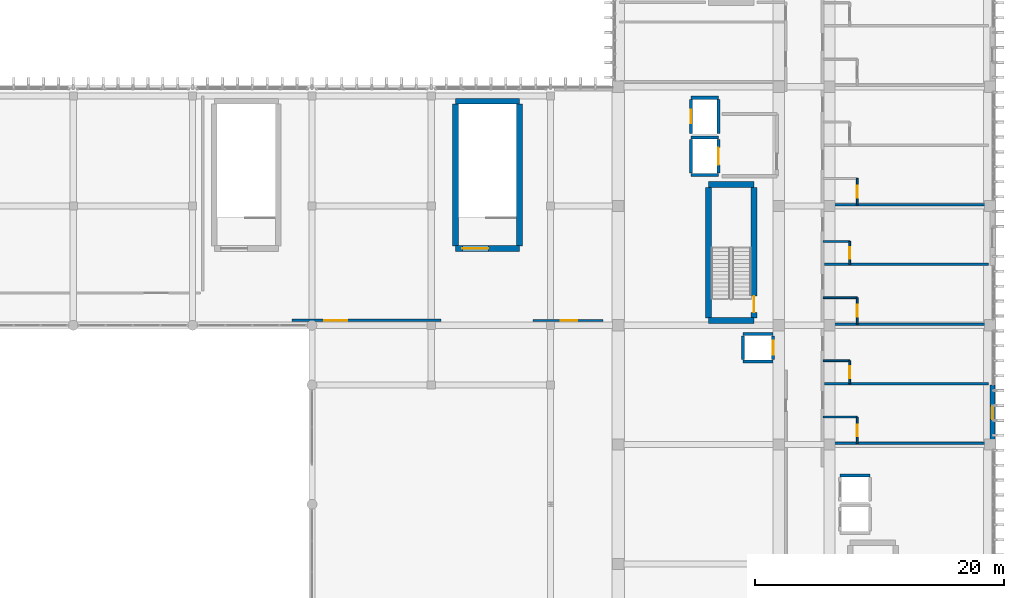
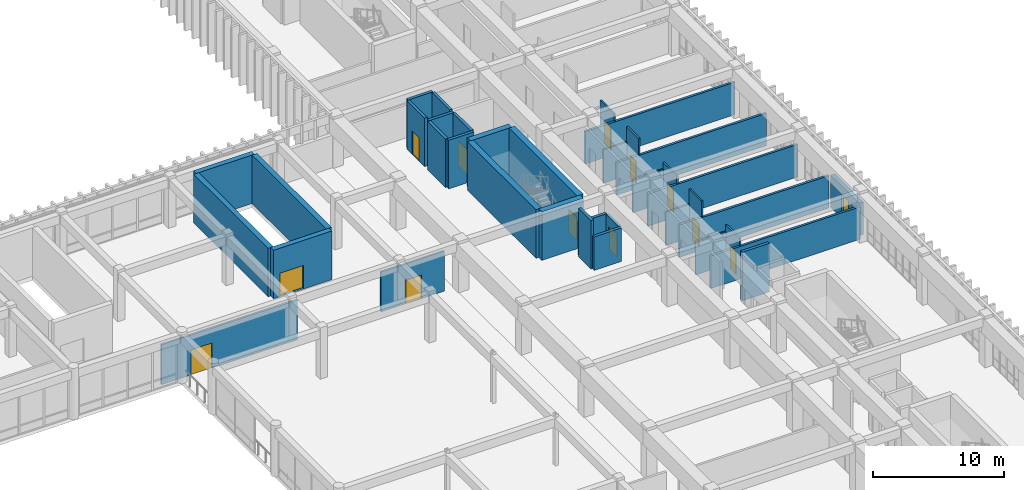
# One storey, part 79 of 101: 37 walls, 12 doors, 1 window, 13 openings.
"""IFC4 building model written with IfcOpenShell, lengths in metres."""

from ifc_helpers import new_model, si_unit, direction, frame, frame_2d, origin, place, context, subcontext, project, spatial, rectangle, extrude, material, layer, layer_set, type_object, element, fill, save


model = new_model("IFC4")

# Units and contexts
model_context = context("Model", 3, precision=1e-05, world=origin(), true_north=direction((0.0, 1.0)))
body_context = subcontext(model_context, "Body", "Model", "MODEL_VIEW")
ifc_project = project(units=[si_unit("LENGTHUNIT", "METRE"), si_unit("AREAUNIT", "SQUARE_METRE"), si_unit("VOLUMEUNIT", "CUBIC_METRE"), si_unit("PLANEANGLEUNIT", "RADIAN"), si_unit("MASSUNIT", "GRAM", prefix="KILO")], contexts=[model_context])

# Site, building, storey
site_placement = place(None, origin())
site = spatial("IfcSite", under=ifc_project, at=site_placement, CompositionType="ELEMENT")
building_placement = place(site_placement, origin())
building = spatial("IfcBuilding", under=site, at=building_placement, Name="Nakhvara Creek Congress Hotel", CompositionType="ELEMENT")
storey_placement = place(building_placement, frame((0.0, 0.0, 16.199951171875)))
storey = spatial("IfcBuildingStorey", under=building, at=storey_placement, Name="L03", CompositionType="ELEMENT", Elevation=16.199951171875)

# Wall, opening, door
ifc_material_1 = material(Name="Moisture-resistant blockwork and plaster", Category="masonry")
ifc_layer_1 = layer(ifc_material_1, 0.159912109375)
ifc_layer_set_1 = layer_set([ifc_layer_1], Name="Moisture-resistant blockwork and plaster")
wall_type_1 = type_object("IfcWallType", Name="W-BOH-160", PredefinedType="PARTITIONING", material=ifc_layer_set_1)
wall_1_placement = place(storey_placement, frame((142.60009765625, 77.199951171875, 0.0), z_axis=(0.0, 0.0, 1.0), x_axis=(1.0, 0.0, 0.0)))
wall_1 = element("IfcWall", 1, at=wall_1_placement, inside=storey, type_object=wall_type_1, Name="Interior Wall WP14-IW-L03-0223", PredefinedType="PARTITIONING", context=body_context, shape_type="SweptSolid", body=[
    extrude(rectangle(XDim=5.599853515625, YDim=0.159912109375, at=frame_2d((2.7998046875, 0.0))), origin(), (0.0, 0.0, 1.0), 3.73193359375),
])
opening_1_placement = place(wall_1_placement, frame((2.199951171875, 0.0, 0.0)))
opening_1 = element("IfcOpeningElement", 2, at=opening_1_placement, cuts=wall_1, Name="Opening ID05", PredefinedType="OPENING", context=body_context, shape_type="SweptSolid", body=[
    extrude(rectangle(XDim=1.35009765625, YDim=2.199951171875, at=frame_2d((0.675048828125, 1.10009765625))), frame((0.0, 0.091796875, 0.0), z_axis=(0.0, -1.0, 0.0), x_axis=(1.0, 0.0, 0.0)), (0.0, 0.0, 1.0), 0.183837890625),
])
ifc_material_2 = material(Name="Brushed stainless-clad BOH door")
door_type_1 = type_object("IfcDoorType", Name="DT-BOH-135", OperationType="NOTDEFINED", PredefinedType="DOOR", material=ifc_material_2)
door_1_placement = place(opening_1_placement, frame((1.35009765625, 0.0, 0.0), z_axis=(0.0, 0.0, 1.0), x_axis=(-1.0, 0.0, 0.0)))
door_1 = element("IfcDoor", 3, at=door_1_placement, inside=storey, type_object=door_type_1, Name="Interior Door ID05-0203", OperationType="SINGLE_SWING_RIGHT", OverallHeight=2.199951171875, OverallWidth=1.35009765625, PredefinedType="DOOR", context=body_context, shape_type="SweptSolid", body=[
    extrude(rectangle(XDim=1.35009765625, YDim=2.199951171875, at=frame_2d((0.675048828125, 1.10009765625))), frame((0.0, 0.02490234375, 0.0), z_axis=(0.0, -1.0, 0.0), x_axis=(1.0, 0.0, 0.0)), (0.0, 0.0, 1.0), 0.050048828125),
])
fill(opening_1, door_1)

ifc_material_3 = material(Name="Concrete C50/60", Category="concrete")
ifc_layer_2 = layer(ifc_material_3, 0.449951171875)
ifc_layer_set_2 = layer_set([ifc_layer_2], Name="Concrete C50/60")
wall_type_2 = type_object("IfcWallType", Name="W-CORE-450", PredefinedType="SHEAR", material=ifc_layer_set_2)
wall_2_placement = place(storey_placement, frame((136.35009765625, 82.97998046875, 0.0), z_axis=(0.0, 0.0, 1.0), x_axis=(1.0, 0.0, 0.0)))
wall_2 = element("IfcWall", 4, at=wall_2_placement, inside=storey, type_object=wall_type_2, Name="Core Shear Wall WS02-CWALL-L03-0931", PredefinedType="SHEAR", context=body_context, shape_type="SweptSolid", body=[
    extrude(rectangle(XDim=5.14990234375, YDim=0.449951171875, at=frame_2d((2.574951171875, 0.0))), origin(), (0.0, 0.0, 1.0), 4.5400390625),
])
opening_2_placement = place(wall_2_placement, frame((0.550048828125, 0.0, 0.0)))
opening_2 = element("IfcOpeningElement", 5, at=opening_2_placement, cuts=wall_2, Name="Opening FD19", PredefinedType="OPENING", context=body_context, shape_type="SweptSolid", body=[
    extrude(rectangle(XDim=2.10009765625, YDim=2.199951171875, at=frame_2d((1.050048828125, 1.10009765625))), frame((0.0, 0.23681640625, 0.0), z_axis=(0.0, -1.0, 0.0), x_axis=(1.0, 0.0, 0.0)), (0.0, 0.0, 1.0), 0.473876953125),
])
ifc_material_4 = material(Name="Galvanised steel acoustic fire door", Category="steel")
door_type_2 = type_object("IfcDoorType", Name="DT-STAIR-220", OperationType="DOUBLE_DOOR_SINGLE_SWING", PredefinedType="DOOR", material=ifc_material_4)
door_2_placement = place(opening_2_placement, frame((2.10009765625, 0.0, 0.0), z_axis=(0.0, 0.0, 1.0), x_axis=(-1.0, 0.0, 0.0)))
door_2 = element("IfcDoor", 6, at=door_2_placement, inside=storey, type_object=door_type_2, Name="Stair Exit Door ST10-L03", OperationType="DOUBLE_DOOR_SINGLE_SWING", OverallHeight=2.199951171875, OverallWidth=2.10009765625, PredefinedType="DOOR", context=body_context, shape_type="SweptSolid", body=[
    extrude(rectangle(XDim=2.10009765625, YDim=2.199951171875, at=frame_2d((1.050048828125, 1.10009765625))), frame((0.0, 0.02490234375, 0.0), z_axis=(0.0, -1.0, 0.0), x_axis=(1.0, 0.0, 0.0)), (0.0, 0.0, 1.0), 0.050048828125),
])
fill(opening_2, door_2)

# Walls
wall_3_placement = place(storey_placement, frame((136.35009765625, 94.820068359375, 0.0), z_axis=(0.0, 0.0, 1.0), x_axis=(1.0, 0.0, 0.0)))
element("IfcWall", 7, at=wall_3_placement, inside=storey, type_object=wall_type_2, Name="Core Shear Wall WS02-CWALL-L03-0932", PredefinedType="SHEAR", context=body_context, shape_type="SweptSolid", body=[
    extrude(rectangle(XDim=5.14990234375, YDim=0.449951171875, at=frame_2d((2.574951171875, 0.0))), origin(), (0.0, 0.0, 1.0), 4.5400390625),
])
for number, where, z_axis, x_axis, name in (
    (8, (136.35009765625, 83.199951171875, 0.0), (0.0, 0.0, 1.0), (0.0, 1.0, 0.0), "Core Shear Wall WS02-CWALL-L03-0933"),
    (9, (141.5, 83.199951171875, 0.0), (0.0, 0.0, 1.0), (0.0, 1.0, 0.0), "Core Shear Wall WS02-CWALL-L03-0934"),
):
    element("IfcWall", number, at=place(storey_placement, frame(where, z_axis=z_axis, x_axis=x_axis)), inside=storey, type_object=wall_type_2, Name=name, PredefinedType="SHEAR", context=body_context, shape_type="SweptSolid", body=[
        extrude(rectangle(XDim=11.400146484375, YDim=0.449951171875, at=frame_2d((5.7001953125, 0.0))), origin(), (0.0, 0.0, 1.0), 4.5400390625),
    ])
ifc_layer_3 = layer(ifc_material_3, 0.5)
ifc_layer_set_3 = layer_set([ifc_layer_3], Name="Concrete C50/60")
wall_type_3 = type_object("IfcWallType", Name="W-CORE-500", PredefinedType="SHEAR", material=ifc_layer_set_3)
for number, where, z_axis, x_axis, name in (
    (10, (156.699951171875, 77.179931640625, 0.0), (0.0, 0.0, 1.0), (1.0, 0.0, 0.0), "Core Shear Wall WS01-CWALL-L03-0091"),
    (11, (156.699951171875, 88.1201171875, 0.0), (0.0, 0.0, 1.0), (1.0, 0.0, 0.0), "Core Shear Wall WS01-CWALL-L03-0092"),
):
    element("IfcWall", number, at=place(storey_placement, frame(where, z_axis=z_axis, x_axis=x_axis)), inside=storey, type_object=wall_type_3, Name=name, PredefinedType="SHEAR", context=body_context, shape_type="SweptSolid", body=[
        extrude(rectangle(XDim=3.670166015625, YDim=0.5, at=frame_2d((1.8349609375, 0.0))), origin(), (0.0, 0.0, 1.0), 4.5400390625),
    ])
wall_4_placement = place(storey_placement, frame((156.699951171875, 77.39990234375, 0.0), z_axis=(0.0, 0.0, 1.0), x_axis=(0.0, 1.0, 0.0)))
element("IfcWall", 12, at=wall_4_placement, inside=storey, type_object=wall_type_3, Name="Core Shear Wall WS01-CWALL-L03-0093", PredefinedType="SHEAR", context=body_context, shape_type="SweptSolid", body=[
    extrude(rectangle(XDim=10.5, YDim=0.5, at=frame_2d((5.25, 0.0))), origin(), (0.0, 0.0, 1.0), 4.5400390625),
])

# Wall, opening, door
wall_5_placement = place(storey_placement, frame((160.3701171875, 77.39990234375, 0.0), z_axis=(0.0, 0.0, 1.0), x_axis=(0.0, 1.0, 0.0)))
wall_5 = element("IfcWall", 13, at=wall_5_placement, inside=storey, type_object=wall_type_3, Name="Core Shear Wall WS01-CWALL-L03-0094", PredefinedType="SHEAR", context=body_context, shape_type="SweptSolid", body=[
    extrude(rectangle(XDim=10.5, YDim=0.5, at=frame_2d((5.25, 0.0))), origin(), (0.0, 0.0, 1.0), 4.5400390625),
])
opening_3_placement = place(wall_5_placement, frame((0.449951171875, 0.0, 0.0)))
opening_3 = element("IfcOpeningElement", 14, at=opening_3_placement, cuts=wall_5, Name="Opening FD04", PredefinedType="OPENING", context=body_context, shape_type="SweptSolid", body=[
    extrude(rectangle(XDim=1.300048828125, YDim=2.14990234375, at=frame_2d((0.64990234375, 1.074951171875))), frame((0.0, 0.261962890625, 0.0), z_axis=(0.0, -1.0, 0.0), x_axis=(1.0, 0.0, 0.0)), (0.0, 0.0, 1.0), 0.52392578125),
])
ifc_material_5 = material(Name="Powder-coated steel fire door", Category="steel")
door_type_3 = type_object("IfcDoorType", Name="DT-STAIR-130", OperationType="NOTDEFINED", PredefinedType="DOOR", material=ifc_material_5)
door_3_placement = place(opening_3_placement, frame((1.300048828125, 0.0, 0.0), z_axis=(0.0, 0.0, 1.0), x_axis=(-1.0, 0.0, 0.0)))
door_3 = element("IfcDoor", 15, at=door_3_placement, inside=storey, type_object=door_type_3, Name="Stair Exit Door ST01-L03", OperationType="SINGLE_SWING_LEFT", OverallHeight=2.14990234375, OverallWidth=1.300048828125, PredefinedType="DOOR", context=body_context, shape_type="SweptSolid", body=[
    extrude(rectangle(XDim=1.300048828125, YDim=2.14990234375, at=frame_2d((0.64990234375, 1.074951171875))), frame((0.0, 0.02490234375, 0.0), z_axis=(0.0, -1.0, 0.0), x_axis=(1.0, 0.0, 0.0)), (0.0, 0.0, 1.0), 0.050048828125),
])
fill(opening_3, door_3)

ifc_material_6 = material(Name="Moisture-resistant gypsum board partition")
ifc_layer_4 = layer(ifc_material_6, 0.139892578125)
ifc_layer_set_4 = layer_set([ifc_layer_4], Name="Moisture-resistant gypsum board partition")
wall_type_4 = type_object("IfcWallType", Name="W-ENS-140", PredefinedType="PARTITIONING", material=ifc_layer_set_4)
wall_6_placement = place(storey_placement, frame((168.669921875, 67.300048828125, 0.0), z_axis=(0.0, 0.0, 1.0), x_axis=(0.0, 1.0, 0.0)))
wall_6 = element("IfcWall", 16, at=wall_6_placement, inside=storey, type_object=wall_type_4, Name="Interior Wall WP15-IW-L03-0250", PredefinedType="PARTITIONING", context=body_context, shape_type="SweptSolid", body=[
    extrude(rectangle(XDim=2.115966796875, YDim=0.139892578125, at=frame_2d((1.05810546875, 0.0))), origin(), (0.0, 0.0, 1.0), 3.73193359375),
])
opening_4_placement = place(wall_6_placement, frame((0.5830078125, 0.0, 0.0)))
opening_4 = element("IfcOpeningElement", 17, at=opening_4_placement, cuts=wall_6, Name="Opening ID01", PredefinedType="OPENING", context=body_context, shape_type="SweptSolid", body=[
    extrude(rectangle(XDim=0.919921875, YDim=2.10009765625, at=frame_2d((0.4599609375, 1.050048828125))), frame((0.0, 0.08203125, 0.0), z_axis=(0.0, -1.0, 0.0), x_axis=(1.0, 0.0, 0.0)), (0.0, 0.0, 1.0), 0.163818359375),
])
ifc_material_7 = material(Name="Moisture-resistant walnut timber door", Category="wood")
door_type_4 = type_object("IfcDoorType", Name="DT-ENS-092", OperationType="NOTDEFINED", PredefinedType="DOOR", material=ifc_material_7)
door_4_placement = place(opening_4_placement, frame((0.919921875, 0.0, 0.0), z_axis=(0.0, 0.0, 1.0), x_axis=(-1.0, 0.0, 0.0)))
door_4 = element("IfcDoor", 18, at=door_4_placement, inside=storey, type_object=door_type_4, Name="Interior Door ID01-0229", OperationType="SINGLE_SWING_RIGHT", OverallHeight=2.10009765625, OverallWidth=0.919921875, PredefinedType="DOOR", context=body_context, shape_type="SweptSolid", body=[
    extrude(rectangle(XDim=0.919921875, YDim=2.10009765625, at=frame_2d((0.4599609375, 1.050048828125))), frame((0.0, 0.02490234375, 0.0), z_axis=(0.0, -1.0, 0.0), x_axis=(1.0, 0.0, 0.0)), (0.0, 0.0, 1.0), 0.050048828125),
])
fill(opening_4, door_4)

# Wall
wall_7_placement = place(storey_placement, frame((165.919921875, 69.416015625, 0.0), z_axis=(0.0, 0.0, 1.0), x_axis=(1.0, 0.0, 0.0)))
element("IfcWall", 19, at=wall_7_placement, inside=storey, type_object=wall_type_4, Name="Interior Wall WP15-IW-L03-0251", PredefinedType="PARTITIONING", context=body_context, shape_type="SweptSolid", body=[
    extrude(rectangle(XDim=2.75, YDim=0.139892578125, at=frame_2d((1.375, 0.0))), origin(), (0.0, 0.0, 1.0), 3.132080078125),
])

# Wall, opening, door
wall_8_placement = place(storey_placement, frame((168.070068359375, 72.10009765625, 0.0), z_axis=(0.0, 0.0, 1.0), x_axis=(0.0, 1.0, 0.0)))
wall_8 = element("IfcWall", 20, at=wall_8_placement, inside=storey, type_object=wall_type_4, Name="Interior Wall WP15-IW-L03-0253", PredefinedType="PARTITIONING", context=body_context, shape_type="SweptSolid", body=[
    extrude(rectangle(XDim=1.849853515625, YDim=0.139892578125, at=frame_2d((0.9248046875, 0.0))), origin(), (0.0, 0.0, 1.0), 4.5400390625),
])
opening_5_placement = place(wall_8_placement, frame((0.449951171875, 0.0, 0.0)))
opening_5 = element("IfcOpeningElement", 21, at=opening_5_placement, cuts=wall_8, Name="Opening ID02", PredefinedType="OPENING", context=body_context, shape_type="SweptSolid", body=[
    extrude(rectangle(XDim=0.9599609375, YDim=2.1201171875, at=frame_2d((0.47998046875, 1.06005859375))), frame((0.0, 0.08203125, 0.0), z_axis=(0.0, -1.0, 0.0), x_axis=(1.0, 0.0, 0.0)), (0.0, 0.0, 1.0), 0.163818359375),
])
door_type_5 = type_object("IfcDoorType", Name="DT-ENS-096", OperationType="NOTDEFINED", PredefinedType="DOOR", material=ifc_material_7)
door_5_placement = place(opening_5_placement, frame((0.9599609375, 0.0, 0.0), z_axis=(0.0, 0.0, 1.0), x_axis=(-1.0, 0.0, 0.0)))
door_5 = element("IfcDoor", 22, at=door_5_placement, inside=storey, type_object=door_type_5, Name="Interior Door ID02-0231", OperationType="SINGLE_SWING_RIGHT", OverallHeight=2.1201171875, OverallWidth=0.9599609375, PredefinedType="DOOR", context=body_context, shape_type="SweptSolid", body=[
    extrude(rectangle(XDim=0.9599609375, YDim=2.1201171875, at=frame_2d((0.47998046875, 1.06005859375))), frame((0.0, 0.02490234375, 0.0), z_axis=(0.0, -1.0, 0.0), x_axis=(1.0, 0.0, 0.0)), (0.0, 0.0, 1.0), 0.050048828125),
])
fill(opening_5, door_5)

# Wall
wall_9_placement = place(storey_placement, frame((165.919921875, 73.949951171875, 0.0), z_axis=(0.0, 0.0, 1.0), x_axis=(1.0, 0.0, 0.0)))
element("IfcWall", 23, at=wall_9_placement, inside=storey, type_object=wall_type_4, Name="Interior Wall WP15-IW-L03-0254", PredefinedType="PARTITIONING", context=body_context, shape_type="SweptSolid", body=[
    extrude(rectangle(XDim=2.150146484375, YDim=0.139892578125, at=frame_2d((1.0751953125, 0.0))), origin(), (0.0, 0.0, 1.0), 3.132080078125),
])

# Wall, opening, door
wall_10_placement = place(storey_placement, frame((168.669921875, 76.89990234375, 0.0), z_axis=(0.0, 0.0, 1.0), x_axis=(0.0, 1.0, 0.0)))
wall_10 = element("IfcWall", 24, at=wall_10_placement, inside=storey, type_object=wall_type_4, Name="Interior Wall WP15-IW-L03-0256", PredefinedType="PARTITIONING", context=body_context, shape_type="SweptSolid", body=[
    extrude(rectangle(XDim=2.1162109375, YDim=0.139892578125, at=frame_2d((1.05810546875, 0.0))), origin(), (0.0, 0.0, 1.0), 3.73193359375),
])
opening_6_placement = place(wall_10_placement, frame((0.5830078125, 0.0, 0.0)))
opening_6 = element("IfcOpeningElement", 25, at=opening_6_placement, cuts=wall_10, Name="Opening ID02", PredefinedType="OPENING", context=body_context, shape_type="SweptSolid", body=[
    extrude(rectangle(XDim=0.9599609375, YDim=2.1201171875, at=frame_2d((0.47998046875, 1.06005859375))), frame((0.0, 0.08203125, 0.0), z_axis=(0.0, -1.0, 0.0), x_axis=(1.0, 0.0, 0.0)), (0.0, 0.0, 1.0), 0.163818359375),
])
door_6_placement = place(opening_6_placement, frame((0.9599609375, 0.0, 0.0), z_axis=(0.0, 0.0, 1.0), x_axis=(-1.0, 0.0, 0.0)))
door_6 = element("IfcDoor", 26, at=door_6_placement, inside=storey, type_object=door_type_5, Name="Interior Door ID02-0233", OperationType="SINGLE_SWING_RIGHT", OverallHeight=2.1201171875, OverallWidth=0.9599609375, PredefinedType="DOOR", context=body_context, shape_type="SweptSolid", body=[
    extrude(rectangle(XDim=0.9599609375, YDim=2.1201171875, at=frame_2d((0.47998046875, 1.06005859375))), frame((0.0, 0.02490234375, 0.0), z_axis=(0.0, -1.0, 0.0), x_axis=(1.0, 0.0, 0.0)), (0.0, 0.0, 1.0), 0.050048828125),
])
fill(opening_6, door_6)

# Wall
wall_11_placement = place(storey_placement, frame((165.919921875, 79.01611328125, 0.0), z_axis=(0.0, 0.0, 1.0), x_axis=(1.0, 0.0, 0.0)))
element("IfcWall", 27, at=wall_11_placement, inside=storey, type_object=wall_type_4, Name="Interior Wall WP15-IW-L03-0257", PredefinedType="PARTITIONING", context=body_context, shape_type="SweptSolid", body=[
    extrude(rectangle(XDim=2.75, YDim=0.139892578125, at=frame_2d((1.375, 0.0))), origin(), (0.0, 0.0, 1.0), 3.132080078125),
])

# Wall, opening, door
wall_12_placement = place(storey_placement, frame((168.070068359375, 81.699951171875, 0.0), z_axis=(0.0, 0.0, 1.0), x_axis=(0.0, 1.0, 0.0)))
wall_12 = element("IfcWall", 28, at=wall_12_placement, inside=storey, type_object=wall_type_4, Name="Interior Wall WP15-IW-L03-0259", PredefinedType="PARTITIONING", context=body_context, shape_type="SweptSolid", body=[
    extrude(rectangle(XDim=1.85009765625, YDim=0.139892578125, at=frame_2d((0.925048828125, 0.0))), origin(), (0.0, 0.0, 1.0), 4.5400390625),
])
opening_7_placement = place(wall_12_placement, frame((0.449951171875, 0.0, 0.0)))
opening_7 = element("IfcOpeningElement", 29, at=opening_7_placement, cuts=wall_12, Name="Opening ID01", PredefinedType="OPENING", context=body_context, shape_type="SweptSolid", body=[
    extrude(rectangle(XDim=0.919921875, YDim=2.10009765625, at=frame_2d((0.4599609375, 1.050048828125))), frame((0.0, 0.08203125, 0.0), z_axis=(0.0, -1.0, 0.0), x_axis=(1.0, 0.0, 0.0)), (0.0, 0.0, 1.0), 0.163818359375),
])
door_7_placement = place(opening_7_placement, frame((0.919921875, 0.0, 0.0), z_axis=(0.0, 0.0, 1.0), x_axis=(-1.0, 0.0, 0.0)))
door_7 = element("IfcDoor", 30, at=door_7_placement, inside=storey, type_object=door_type_4, Name="Interior Door ID01-0235", OperationType="SINGLE_SWING_RIGHT", OverallHeight=2.10009765625, OverallWidth=0.919921875, PredefinedType="DOOR", context=body_context, shape_type="SweptSolid", body=[
    extrude(rectangle(XDim=0.919921875, YDim=2.10009765625, at=frame_2d((0.4599609375, 1.050048828125))), frame((0.0, 0.02490234375, 0.0), z_axis=(0.0, -1.0, 0.0), x_axis=(1.0, 0.0, 0.0)), (0.0, 0.0, 1.0), 0.050048828125),
])
fill(opening_7, door_7)

# Wall
wall_13_placement = place(storey_placement, frame((165.919921875, 83.550048828125, 0.0), z_axis=(0.0, 0.0, 1.0), x_axis=(1.0, 0.0, 0.0)))
element("IfcWall", 31, at=wall_13_placement, inside=storey, type_object=wall_type_4, Name="Interior Wall WP15-IW-L03-0260", PredefinedType="PARTITIONING", context=body_context, shape_type="SweptSolid", body=[
    extrude(rectangle(XDim=2.150146484375, YDim=0.139892578125, at=frame_2d((1.0751953125, 0.0))), origin(), (0.0, 0.0, 1.0), 3.132080078125),
])

# Wall, opening, door
wall_14_placement = place(storey_placement, frame((168.669921875, 86.5, 0.0), z_axis=(0.0, 0.0, 1.0), x_axis=(0.0, 1.0, 0.0)))
wall_14 = element("IfcWall", 32, at=wall_14_placement, inside=storey, type_object=wall_type_4, Name="Interior Wall WP15-IW-L03-0262", PredefinedType="PARTITIONING", context=body_context, shape_type="SweptSolid", body=[
    extrude(rectangle(XDim=2.115966796875, YDim=0.139892578125, at=frame_2d((1.05810546875, 0.0))), origin(), (0.0, 0.0, 1.0), 3.73193359375),
])
opening_8_placement = place(wall_14_placement, frame((0.5830078125, 0.0, 0.0)))
opening_8 = element("IfcOpeningElement", 33, at=opening_8_placement, cuts=wall_14, Name="Opening ID02", PredefinedType="OPENING", context=body_context, shape_type="SweptSolid", body=[
    extrude(rectangle(XDim=0.9599609375, YDim=2.1201171875, at=frame_2d((0.47998046875, 1.06005859375))), frame((0.0, 0.08203125, 0.0), z_axis=(0.0, -1.0, 0.0), x_axis=(1.0, 0.0, 0.0)), (0.0, 0.0, 1.0), 0.163818359375),
])
door_8_placement = place(opening_8_placement, frame((0.9599609375, 0.0, 0.0), z_axis=(0.0, 0.0, 1.0), x_axis=(-1.0, 0.0, 0.0)))
door_8 = element("IfcDoor", 34, at=door_8_placement, inside=storey, type_object=door_type_5, Name="Interior Door ID02-0237", OperationType="SINGLE_SWING_RIGHT", OverallHeight=2.1201171875, OverallWidth=0.9599609375, PredefinedType="DOOR", context=body_context, shape_type="SweptSolid", body=[
    extrude(rectangle(XDim=0.9599609375, YDim=2.1201171875, at=frame_2d((0.47998046875, 1.06005859375))), frame((0.0, 0.02490234375, 0.0), z_axis=(0.0, -1.0, 0.0), x_axis=(1.0, 0.0, 0.0)), (0.0, 0.0, 1.0), 0.050048828125),
])
fill(opening_8, door_8)

# Wall, opening, window
ifc_material_8 = material(Name="Honed pale Omani limestone cladding", Category="masonry")
ifc_layer_5 = layer(ifc_material_8, 0.050048828125)
ifc_material_9 = material(Name="Mineral wool thermal insulation")
ifc_layer_6 = layer(ifc_material_9, 0.110107421875)
ifc_material_10 = material(Name="Precast concrete C40/50", Category="concrete")
ifc_layer_7 = layer(ifc_material_10, 0.219970703125)
ifc_layer_set_5 = layer_set([ifc_layer_5, ifc_layer_6, ifc_layer_7], Name="Precast concrete C40/50")
wall_type_5 = type_object("IfcWallType", Name="W-EXT-380", PredefinedType="SOLIDWALL", material=ifc_layer_set_5)
wall_15_placement = place(storey_placement, frame((179.56005859375, 72.0, 0.0), z_axis=(0.0, 0.0, 1.0), x_axis=(0.0, -1.0, 0.0)))
wall_15 = element("IfcWall", 35, at=wall_15_placement, inside=storey, type_object=wall_type_5, Name="Exterior Wall WE03-EW-L03-0125", PredefinedType="SOLIDWALL", context=body_context, shape_type="SweptSolid", body=[
    extrude(rectangle(XDim=4.375, YDim=0.3798828125, at=frame_2d((2.1875, 0.0))), origin(), (0.0, 0.0, 1.0), 3.031982421875),
])
opening_9_placement = place(wall_15_placement, frame((1.672607421875, 0.0, 0.550048828125)))
opening_9 = element("IfcOpeningElement", 36, at=opening_9_placement, cuts=wall_15, Name="Opening WN0135", PredefinedType="OPENING", context=body_context, shape_type="SweptSolid", body=[
    extrude(rectangle(XDim=1.10009765625, YDim=1.699951171875, at=frame_2d((0.550048828125, 0.85009765625))), frame((0.0, 0.201904296875, 0.0), z_axis=(0.0, -1.0, 0.0), x_axis=(1.0, 0.0, 0.0)), (0.0, 0.0, 1.0), 0.40380859375),
])
ifc_material_11 = material(Name="Thermally broken bronze-anodised aluminium and double-silver low-E insulated glass", Category="aluminium")
window_type = type_object("IfcWindowType", Name="WN-LAN-110X215", PartitioningType="SINGLE_PANEL", PredefinedType="WINDOW", material=ifc_material_11)
window_placement = place(opening_9_placement, origin())
window = element("IfcWindow", 37, at=window_placement, inside=storey, type_object=window_type, Name="Facade Window WN0135", OverallHeight=1.699951171875, OverallWidth=1.10009765625, PartitioningType="SINGLE_PANEL", PredefinedType="WINDOW", context=body_context, shape_type="SweptSolid", body=[
    extrude(rectangle(XDim=1.10009765625, YDim=1.699951171875, at=frame_2d((0.550048828125, 0.85009765625))), frame((0.0, 0.030029296875, 0.0), z_axis=(0.0, -1.0, 0.0), x_axis=(1.0, 0.0, 0.0)), (0.0, 0.0, 1.0), 0.06005859375),
])
fill(opening_9, window)

# Wall, opening, door
ifc_material_12 = material(Name="Gypsum acoustic board on steel stud", Category="steel")
ifc_layer_8 = layer(ifc_material_12, 0.179931640625)
ifc_layer_set_6 = layer_set([ifc_layer_8], Name="Gypsum acoustic board on steel stud")
wall_type_6 = type_object("IfcWallType", Name="W-MEET-180", PredefinedType="PARTITIONING", material=ifc_layer_set_6)
wall_16_placement = place(storey_placement, frame((123.199951171875, 77.199951171875, 0.0), z_axis=(0.0, 0.0, 1.0), x_axis=(1.0, 0.0, 0.0)))
wall_16 = element("IfcWall", 38, at=wall_16_placement, inside=storey, type_object=wall_type_6, Name="Interior Wall WP13-IW-L03-0222", PredefinedType="PARTITIONING", context=body_context, shape_type="SweptSolid", body=[
    extrude(rectangle(XDim=12.0, YDim=0.179931640625, at=frame_2d((6.0, 0.0))), origin(), (0.0, 0.0, 1.0), 3.73193359375),
])
opening_10_placement = place(wall_16_placement, frame((2.60009765625, 0.0, 0.0)))
opening_10 = element("IfcOpeningElement", 39, at=opening_10_placement, cuts=wall_16, Name="Opening MD01", PredefinedType="OPENING", context=body_context, shape_type="SweptSolid", body=[
    extrude(rectangle(XDim=1.85009765625, YDim=2.35009765625, at=frame_2d((0.925048828125, 1.175048828125))), frame((0.0, 0.10205078125, 0.0), z_axis=(0.0, -1.0, 0.0), x_axis=(1.0, 0.0, 0.0)), (0.0, 0.0, 1.0), 0.203857421875),
])
ifc_material_13 = material(Name="Acoustic walnut timber double door", Category="wood")
door_type_6 = type_object("IfcDoorType", Name="DT-MEET-185", OperationType="DOUBLE_DOOR_SINGLE_SWING", PredefinedType="DOOR", material=ifc_material_13)
door_9_placement = place(opening_10_placement, frame((1.85009765625, 0.0, 0.0), z_axis=(0.0, 0.0, 1.0), x_axis=(-1.0, 0.0, 0.0)))
door_9 = element("IfcDoor", 40, at=door_9_placement, inside=storey, type_object=door_type_6, Name="Interior Door MD01-0202", OperationType="DOUBLE_DOOR_SINGLE_SWING", OverallHeight=2.35009765625, OverallWidth=1.85009765625, PredefinedType="DOOR", context=body_context, shape_type="SweptSolid", body=[
    extrude(rectangle(XDim=1.85009765625, YDim=2.35009765625, at=frame_2d((0.925048828125, 1.175048828125))), frame((0.0, 0.02490234375, 0.0), z_axis=(0.0, -1.0, 0.0), x_axis=(1.0, 0.0, 0.0)), (0.0, 0.0, 1.0), 0.050048828125),
])
fill(opening_10, door_9)

# Walls
ifc_layer_9 = layer(ifc_material_12, 0.199951171875)
ifc_layer_set_7 = layer_set([ifc_layer_9], Name="Gypsum acoustic board on steel stud")
wall_type_7 = type_object("IfcWallType", Name="W-PART-200", PredefinedType="PARTITIONING", material=ifc_layer_set_7)
for number, where, z_axis, x_axis, name in (
    (41, (166.02001953125, 67.300048828125, 0.0), (0.0, 0.0, 1.0), (1.0, 0.0, 0.0), "Interior Wall WP12-IW-L03-0249"),
    (42, (166.02001953125, 72.10009765625, 0.0), (0.0, 0.0, 1.0), (1.0, 0.0, 0.0), "Interior Wall WP12-IW-L03-0252"),
    (43, (166.02001953125, 76.89990234375, 0.0), (0.0, 0.0, 1.0), (1.0, 0.0, 0.0), "Interior Wall WP12-IW-L03-0255"),
    (44, (166.02001953125, 81.699951171875, 0.0), (0.0, 0.0, 1.0), (1.0, 0.0, 0.0), "Interior Wall WP12-IW-L03-0258"),
    (45, (166.02001953125, 86.5, 0.0), (0.0, 0.0, 1.0), (1.0, 0.0, 0.0), "Interior Wall WP12-IW-L03-0261"),
):
    element("IfcWall", number, at=place(storey_placement, frame(where, z_axis=z_axis, x_axis=x_axis)), inside=storey, type_object=wall_type_7, Name=name, PredefinedType="PARTITIONING", context=body_context, shape_type="SweptSolid", body=[
        extrude(rectangle(XDim=13.22998046875, YDim=0.199951171875, at=frame_2d((6.614990234375, 0.0))), origin(), (0.0, 0.0, 1.0), 3.031982421875),
    ])
ifc_material_14 = material(Name="Concrete C40/50", Category="concrete")
ifc_layer_10 = layer(ifc_material_14, 0.25)
ifc_layer_set_8 = layer_set([ifc_layer_10], Name="Concrete C40/50")
wall_type_8 = type_object("IfcWallType", Name="W-SHAFT-250", PredefinedType="SOLIDWALL", material=ifc_layer_set_8)
for number, where, z_axis, x_axis, name in (
    (46, (155.2900390625, 88.889892578125, 0.0), (0.0, 0.0, 1.0), (1.0, 0.0, 0.0), "Core Shear Wall WI02-CWALL-L03-0095"),
    (47, (155.2900390625, 91.909912109375, 0.0), (0.0, 0.0, 1.0), (1.0, 0.0, 0.0), "Core Shear Wall WI02-CWALL-L03-0096"),
):
    element("IfcWall", number, at=place(storey_placement, frame(where, z_axis=z_axis, x_axis=x_axis)), inside=storey, type_object=wall_type_8, Name=name, PredefinedType="SOLIDWALL", context=body_context, shape_type="SweptSolid", body=[
        extrude(rectangle(XDim=2.219970703125, YDim=0.25, at=frame_2d((1.10986328125, 0.0))), origin(), (0.0, 0.0, 1.0), 4.5400390625),
    ])
wall_17_placement = place(storey_placement, frame((155.2900390625, 89.050048828125, 0.0), z_axis=(0.0, 0.0, 1.0), x_axis=(0.0, 1.0, 0.0)))
element("IfcWall", 48, at=wall_17_placement, inside=storey, type_object=wall_type_8, Name="Core Shear Wall WI02-CWALL-L03-0097", PredefinedType="SOLIDWALL", context=body_context, shape_type="SweptSolid", body=[
    extrude(rectangle(XDim=2.699951171875, YDim=0.25, at=frame_2d((1.35009765625, 0.0))), origin(), (0.0, 0.0, 1.0), 4.5400390625),
])

# Wall, opening, door
wall_18_placement = place(storey_placement, frame((157.510009765625, 89.050048828125, 0.0), z_axis=(0.0, 0.0, 1.0), x_axis=(0.0, 1.0, 0.0)))
wall_18 = element("IfcWall", 49, at=wall_18_placement, inside=storey, type_object=wall_type_8, Name="Core Shear Wall WI02-CWALL-L03-0098", PredefinedType="SOLIDWALL", context=body_context, shape_type="SweptSolid", body=[
    extrude(rectangle(XDim=2.699951171875, YDim=0.25, at=frame_2d((1.35009765625, 0.0))), origin(), (0.0, 0.0, 1.0), 4.5400390625),
])
opening_11_placement = place(wall_18_placement, frame((0.64990234375, 0.0, 0.0)))
opening_11 = element("IfcOpeningElement", 50, at=opening_11_placement, cuts=wall_18, Name="Opening LD02", PredefinedType="OPENING", context=body_context, shape_type="SweptSolid", body=[
    extrude(rectangle(XDim=1.39990234375, YDim=2.300048828125, at=frame_2d((0.699951171875, 1.14990234375))), frame((0.0, 0.136962890625, 0.0), z_axis=(0.0, -1.0, 0.0), x_axis=(1.0, 0.0, 0.0)), (0.0, 0.0, 1.0), 0.27392578125),
])
ifc_material_15 = material(Name="Brushed stainless steel heavy goods landing door", Category="steel")
door_type_7 = type_object("IfcDoorType", Name="DT-LIFT-140", OperationType="DOUBLE_DOOR_SLIDING", PredefinedType="DOOR", material=ifc_material_15)
door_10_placement = place(opening_11_placement, origin())
door_10 = element("IfcDoor", 51, at=door_10_placement, inside=storey, type_object=door_type_7, Name="Landing Door FFL1-L03", OperationType="SLIDING_TO_LEFT", OverallHeight=2.300048828125, OverallWidth=1.39990234375, PredefinedType="DOOR", context=body_context, shape_type="SweptSolid", body=[
    extrude(rectangle(XDim=1.39990234375, YDim=2.300048828125, at=frame_2d((0.699951171875, 1.14990234375))), frame((0.0, 0.02490234375, 0.0), z_axis=(0.0, -1.0, 0.0), x_axis=(1.0, 0.0, 0.0)), (0.0, 0.0, 1.0), 0.050048828125),
])
fill(opening_11, door_10)

# Wall
wall_19_placement = place(storey_placement, frame((155.2900390625, 95.110107421875, 0.0), z_axis=(0.0, 0.0, 1.0), x_axis=(1.0, 0.0, 0.0)))
element("IfcWall", 52, at=wall_19_placement, inside=storey, type_object=wall_type_8, Name="Core Shear Wall WI02-CWALL-L03-0099", PredefinedType="SOLIDWALL", context=body_context, shape_type="SweptSolid", body=[
    extrude(rectangle(XDim=2.219970703125, YDim=0.25, at=frame_2d((1.10986328125, 0.0))), origin(), (0.0, 0.0, 1.0), 4.5400390625),
])

# Wall, opening, door
wall_20_placement = place(storey_placement, frame((155.2900390625, 92.25, 0.0), z_axis=(0.0, 0.0, 1.0), x_axis=(0.0, 1.0, 0.0)))
wall_20 = element("IfcWall", 53, at=wall_20_placement, inside=storey, type_object=wall_type_8, Name="Core Shear Wall WI02-CWALL-L03-0100", PredefinedType="SOLIDWALL", context=body_context, shape_type="SweptSolid", body=[
    extrude(rectangle(XDim=2.699951171875, YDim=0.25, at=frame_2d((1.35009765625, 0.0))), origin(), (0.0, 0.0, 1.0), 4.5400390625),
])
opening_12_placement = place(wall_20_placement, frame((0.800048828125, 0.0, 0.0)))
opening_12 = element("IfcOpeningElement", 54, at=opening_12_placement, cuts=wall_20, Name="Opening LD01", PredefinedType="OPENING", context=body_context, shape_type="SweptSolid", body=[
    extrude(rectangle(XDim=1.10009765625, YDim=2.199951171875, at=frame_2d((0.550048828125, 1.10009765625))), frame((0.0, 0.136962890625, 0.0), z_axis=(0.0, -1.0, 0.0), x_axis=(1.0, 0.0, 0.0)), (0.0, 0.0, 1.0), 0.27392578125),
])
ifc_material_16 = material(Name="Brushed stainless steel sliding landing door", Category="steel")
door_type_8 = type_object("IfcDoorType", Name="DT-LIFT-110", OperationType="DOUBLE_DOOR_SLIDING", PredefinedType="DOOR", material=ifc_material_16)
door_11_placement = place(opening_12_placement, origin())
door_11 = element("IfcDoor", 55, at=door_11_placement, inside=storey, type_object=door_type_8, Name="Landing Door SL01-L03", OperationType="SLIDING_TO_LEFT", OverallHeight=2.199951171875, OverallWidth=1.10009765625, PredefinedType="DOOR", context=body_context, shape_type="SweptSolid", body=[
    extrude(rectangle(XDim=1.10009765625, YDim=2.199951171875, at=frame_2d((0.550048828125, 1.10009765625))), frame((0.0, 0.02490234375, 0.0), z_axis=(0.0, -1.0, 0.0), x_axis=(1.0, 0.0, 0.0)), (0.0, 0.0, 1.0), 0.050048828125),
])
fill(opening_12, door_11)

# Walls
wall_21_placement = place(storey_placement, frame((157.510009765625, 92.25, 0.0), z_axis=(0.0, 0.0, 1.0), x_axis=(0.0, 1.0, 0.0)))
element("IfcWall", 56, at=wall_21_placement, inside=storey, type_object=wall_type_8, Name="Core Shear Wall WI02-CWALL-L03-0101", PredefinedType="SOLIDWALL", context=body_context, shape_type="SweptSolid", body=[
    extrude(rectangle(XDim=2.699951171875, YDim=0.25, at=frame_2d((1.35009765625, 0.0))), origin(), (0.0, 0.0, 1.0), 4.5400390625),
])
for number, where, z_axis, x_axis, name in (
    (57, (159.489990234375, 73.889892578125, 0.0), (0.0, 0.0, 1.0), (1.0, 0.0, 0.0), "Core Shear Wall WI02-CWALL-L03-0102"),
    (58, (159.489990234375, 76.110107421875, 0.0), (0.0, 0.0, 1.0), (1.0, 0.0, 0.0), "Core Shear Wall WI02-CWALL-L03-0103"),
):
    element("IfcWall", number, at=place(storey_placement, frame(where, z_axis=z_axis, x_axis=x_axis)), inside=storey, type_object=wall_type_8, Name=name, PredefinedType="SOLIDWALL", context=body_context, shape_type="SweptSolid", body=[
        extrude(rectangle(XDim=2.419921875, YDim=0.25, at=frame_2d((1.2099609375, 0.0))), origin(), (0.0, 0.0, 1.0), 3.132080078125),
    ])
wall_22_placement = place(storey_placement, frame((159.489990234375, 74.050048828125, 0.0), z_axis=(0.0, 0.0, 1.0), x_axis=(0.0, 1.0, 0.0)))
element("IfcWall", 59, at=wall_22_placement, inside=storey, type_object=wall_type_8, Name="Core Shear Wall WI02-CWALL-L03-0104", PredefinedType="SOLIDWALL", context=body_context, shape_type="SweptSolid", body=[
    extrude(rectangle(XDim=1.89990234375, YDim=0.25, at=frame_2d((0.949951171875, 0.0))), origin(), (0.0, 0.0, 1.0), 4.5400390625),
])

# Wall, opening, door
wall_23_placement = place(storey_placement, frame((161.909912109375, 74.050048828125, 0.0), z_axis=(0.0, 0.0, 1.0), x_axis=(0.0, 1.0, 0.0)))
wall_23 = element("IfcWall", 60, at=wall_23_placement, inside=storey, type_object=wall_type_8, Name="Core Shear Wall WI02-CWALL-L03-0105", PredefinedType="SOLIDWALL", context=body_context, shape_type="SweptSolid", body=[
    extrude(rectangle(XDim=1.89990234375, YDim=0.25, at=frame_2d((0.949951171875, 0.0))), origin(), (0.0, 0.0, 1.0), 3.132080078125),
])
opening_13_placement = place(wall_23_placement, frame((0.39990234375, 0.0, 0.0)))
opening_13 = element("IfcOpeningElement", 61, at=opening_13_placement, cuts=wall_23, Name="Opening LD01", PredefinedType="OPENING", context=body_context, shape_type="SweptSolid", body=[
    extrude(rectangle(XDim=1.10009765625, YDim=2.199951171875, at=frame_2d((0.550048828125, 1.10009765625))), frame((0.0, 0.136962890625, 0.0), z_axis=(0.0, -1.0, 0.0), x_axis=(1.0, 0.0, 0.0)), (0.0, 0.0, 1.0), 0.27392578125),
])
door_12_placement = place(opening_13_placement, origin())
door_12 = element("IfcDoor", 62, at=door_12_placement, inside=storey, type_object=door_type_8, Name="Landing Door PL02-L03", OperationType="SLIDING_TO_LEFT", OverallHeight=2.199951171875, OverallWidth=1.10009765625, PredefinedType="DOOR", context=body_context, shape_type="SweptSolid", body=[
    extrude(rectangle(XDim=1.10009765625, YDim=2.199951171875, at=frame_2d((0.550048828125, 1.10009765625))), frame((0.0, 0.02490234375, 0.0), z_axis=(0.0, -1.0, 0.0), x_axis=(1.0, 0.0, 0.0)), (0.0, 0.0, 1.0), 0.050048828125),
])
fill(opening_13, door_12)

# Wall
wall_24_placement = place(storey_placement, frame((167.2900390625, 64.7099609375, 0.0), z_axis=(0.0, 0.0, 1.0), x_axis=(1.0, 0.0, 0.0)))
element("IfcWall", 63, at=wall_24_placement, inside=storey, type_object=wall_type_8, Name="Core Shear Wall WI02-CWALL-L03-0684", PredefinedType="SOLIDWALL", context=body_context, shape_type="SweptSolid", body=[
    extrude(rectangle(XDim=2.419921875, YDim=0.25, at=frame_2d((1.2099609375, 0.0))), origin(), (0.0, 0.0, 1.0), 4.5400390625),
])

save(model, "model.ifc")
